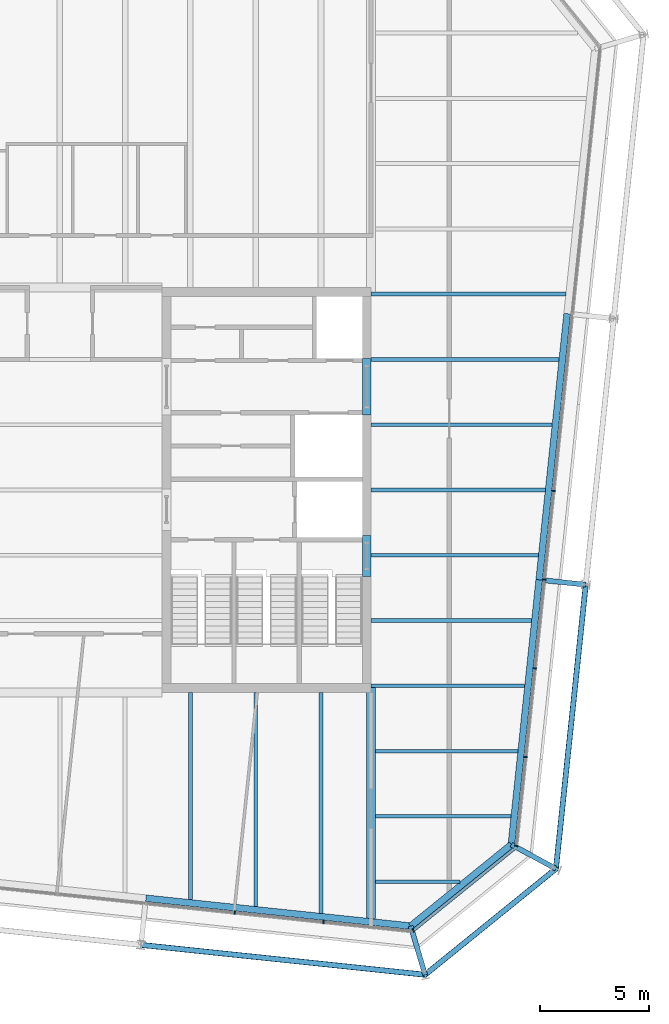
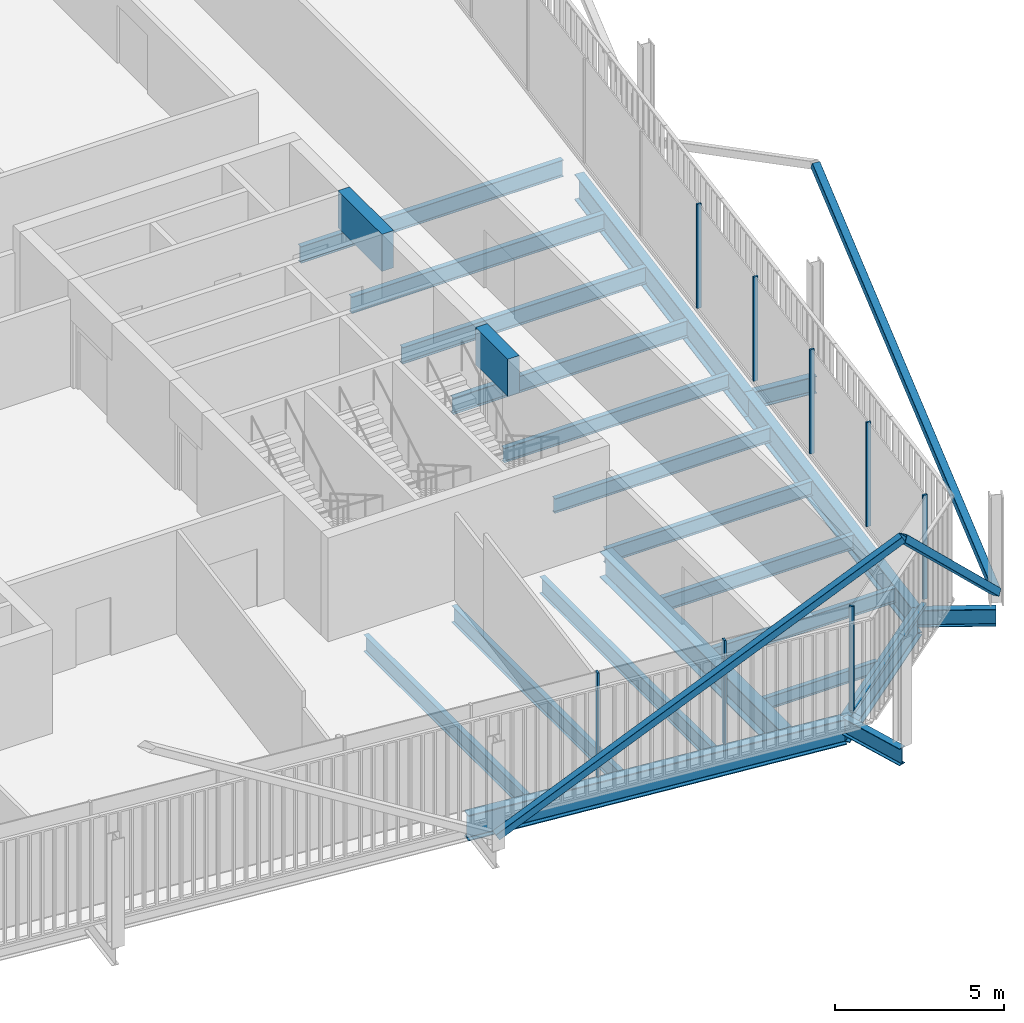
# One storey, part 9 of 21: 23 beams, 12 members, 3 elements without a shape of their own.
"""IFC4 building model written with IfcOpenShell, lengths in metres."""

from ifc_helpers import new_model, si_unit, direction, frame, origin, origin_2d, place, context, subcontext, project, spatial, rectangle, hollow_rectangle, i_section, extrude, material, layer, layer_set, material_profile, profile_set, type_object, element, aggregate, save


model = new_model("IFC4")

# Units and contexts
model_context = context("Model", 3, precision=1e-05, world=origin(), true_north=direction((0.0, 1.0)))
body_context = subcontext(model_context, "Body", "Model", "MODEL_VIEW")
ifc_project = project(units=[si_unit("LENGTHUNIT", "METRE"), si_unit("AREAUNIT", "SQUARE_METRE"), si_unit("VOLUMEUNIT", "CUBIC_METRE"), si_unit("PLANEANGLEUNIT", "RADIAN"), si_unit("MASSUNIT", "GRAM", prefix="KILO")], contexts=[model_context])

# Site, building, storey
site_placement = place(None, origin())
site = spatial("IfcSite", under=ifc_project, at=site_placement, CompositionType="ELEMENT")
building_placement = place(site_placement, origin())
building = spatial("IfcBuilding", under=site, at=building_placement, Name="Millrace Tower", CompositionType="ELEMENT")
storey_placement = place(building_placement, frame((0.0, 0.0, 318.699951171875)))
storey = spatial("IfcBuildingStorey", under=building, at=storey_placement, Name="L73", CompositionType="ELEMENT", Elevation=318.699951171875)

# Curtain wall, members
ifc_material_1 = material(Name="Aluminium and glass", Category="aluminium")
ifc_layer = layer(ifc_material_1, 0.14990234375)
ifc_layer_set = layer_set([ifc_layer], Name="Aluminium and glass")
curtain_wall_type = type_object("IfcCurtainWallType", Name="CW-1 office vision curtain wall", PredefinedType="NOTDEFINED", material=ifc_layer_set)
placement = place(storey_placement, origin())
curtain_wall_1 = element("IfcCurtainWall", 1, at=placement, inside=storey, type_object=curtain_wall_type, Name="Curtain wall E-F02 L73", PredefinedType="NOTDEFINED")
ifc_material_2 = material(Name="Aluminium", Category="aluminium")
ifc_material_profile_1 = material_profile(ifc_material_2, rectangle(XDim=0.06494140625, YDim=0.14990234375, at=origin_2d()))
ifc_profile_set_1 = profile_set([ifc_material_profile_1], Name="Aluminium")
member_type_1 = type_object("IfcMemberType", Name="CW-1 office vision curtain wall mullion", PredefinedType="MULLION", material=ifc_profile_set_1)
member_1_placement = place(storey_placement, frame((8.040283203125, -19.4248046875, 0.14013671875), z_axis=(0.0, 0.0, 1.0), x_axis=(0.994521896217, -0.104528455196, 0.0)))
member_1 = element("IfcMember", 2, at=member_1_placement, type_object=member_type_1, Name="CW1 mullion E-F02.8", PredefinedType="MULLION", context=body_context, shape_type="SweptSolid", body=[
    extrude(rectangle(XDim=0.06494140625, YDim=0.14990234375, at=origin_2d()), origin(), (0.0, 0.0, 1.0), 3.760009765625),
])
member_2_placement = place(storey_placement, frame((12.117919921875, -19.853271484375, 0.14013671875), z_axis=(0.0, 0.0, 1.0), x_axis=(0.994521896217, -0.104528455196, 0.0)))
member_2 = element("IfcMember", 3, at=member_2_placement, type_object=member_type_1, Name="CW1 mullion E-F02.9", PredefinedType="MULLION", context=body_context, shape_type="SweptSolid", body=[
    extrude(rectangle(XDim=0.06494140625, YDim=0.14990234375, at=origin_2d()), origin(), (0.0, 0.0, 1.0), 3.760009765625),
])
aggregate(curtain_wall_1, [member_1, member_2])

# Curtain wall, member
curtain_wall_2 = element("IfcCurtainWall", 4, at=placement, inside=storey, type_object=curtain_wall_type, Name="Curtain wall E-F03 L73", PredefinedType="NOTDEFINED")
member_3_placement = place(storey_placement, frame((16.243408203125, -20.24169921875, 0.14013671875), z_axis=(0.0, 0.0, 1.0), x_axis=(0.777146052237, 0.629320278945, 0.0)))
member_3 = element("IfcMember", 5, at=member_3_placement, type_object=member_type_1, Name="CW1 mullion E-F03.1", PredefinedType="MULLION", context=body_context, shape_type="SweptSolid", body=[
    extrude(rectangle(XDim=0.06494140625, YDim=0.14990234375, at=origin_2d()), origin(), (0.0, 0.0, 1.0), 3.760009765625),
])

# Curtain wall, members
curtain_wall_3 = element("IfcCurtainWall", 6, at=placement, inside=storey, type_object=curtain_wall_type, Name="Curtain wall E-F04 L73", PredefinedType="NOTDEFINED")
member_4_placement = place(storey_placement, frame((20.974853515625, -16.3525390625, 0.14013671875), z_axis=(0.0, 0.0, 1.0), x_axis=(0.104528455196, 0.994521896217, 0.0)))
member_4 = element("IfcMember", 7, at=member_4_placement, type_object=member_type_1, Name="CW1 mullion E-F04.1", PredefinedType="MULLION", context=body_context, shape_type="SweptSolid", body=[
    extrude(rectangle(XDim=0.06494140625, YDim=0.14990234375, at=origin_2d()), origin(), (0.0, 0.0, 1.0), 3.760009765625),
])
member_5_placement = place(storey_placement, frame((21.4033203125, -12.27490234375, 0.14013671875), z_axis=(0.0, 0.0, 1.0), x_axis=(0.104528455196, 0.994521896217, 0.0)))
member_5 = element("IfcMember", 8, at=member_5_placement, type_object=member_type_1, Name="CW1 mullion E-F04.2", PredefinedType="MULLION", context=body_context, shape_type="SweptSolid", body=[
    extrude(rectangle(XDim=0.06494140625, YDim=0.14990234375, at=origin_2d()), origin(), (0.0, 0.0, 1.0), 3.760009765625),
])
member_6_placement = place(storey_placement, frame((21.83203125, -8.197509765625, 0.14013671875), z_axis=(0.0, 0.0, 1.0), x_axis=(0.104528455196, 0.994521896217, 0.0)))
member_6 = element("IfcMember", 9, at=member_6_placement, type_object=member_type_1, Name="CW1 mullion E-F04.3", PredefinedType="MULLION", context=body_context, shape_type="SweptSolid", body=[
    extrude(rectangle(XDim=0.06494140625, YDim=0.14990234375, at=origin_2d()), origin(), (0.0, 0.0, 1.0), 3.760009765625),
])
member_7_placement = place(storey_placement, frame((22.260498046875, -4.119873046875, 0.14013671875), z_axis=(0.0, 0.0, 1.0), x_axis=(0.104528455196, 0.994521896217, 0.0)))
member_7 = element("IfcMember", 10, at=member_7_placement, type_object=member_type_1, Name="CW1 mullion E-F04.4", PredefinedType="MULLION", context=body_context, shape_type="SweptSolid", body=[
    extrude(rectangle(XDim=0.06494140625, YDim=0.14990234375, at=origin_2d()), origin(), (0.0, 0.0, 1.0), 3.760009765625),
])
member_8_placement = place(storey_placement, frame((22.68896484375, -0.042236328125, 0.14013671875), z_axis=(0.0, 0.0, 1.0), x_axis=(0.104528455196, 0.994521896217, 0.0)))
member_8 = element("IfcMember", 11, at=member_8_placement, type_object=member_type_1, Name="CW1 mullion E-F04.5", PredefinedType="MULLION", context=body_context, shape_type="SweptSolid", body=[
    extrude(rectangle(XDim=0.06494140625, YDim=0.14990234375, at=origin_2d()), origin(), (0.0, 0.0, 1.0), 3.760009765625),
])
aggregate(curtain_wall_3, [member_4, member_5, member_6, member_7, member_8])

# Member
ifc_material_3 = material(Name="Aluminium", Category="aluminium")
ifc_material_profile_2 = material_profile(ifc_material_3, rectangle(XDim=0.14990234375, YDim=0.139892578125, at=origin_2d()))
ifc_profile_set_2 = profile_set([ifc_material_profile_2], Name="Aluminium")
member_type_2 = type_object("IfcMemberType", Name="CW-1 office vision curtain wall transom", PredefinedType="USERDEFINED", material=ifc_profile_set_2)
member_9_placement = place(storey_placement, frame((16.2958984375, -20.19921875, 0.070068359375), z_axis=(0.77714915117, 0.629316452061, 0.0), x_axis=(-0.629316452061, 0.77714915117, 0.0)))
member_9 = element("IfcMember", 12, at=member_9_placement, type_object=member_type_2, Name="CW1 transom E-F03.1", ObjectType="TRANSOM", PredefinedType="USERDEFINED", context=body_context, shape_type="SweptSolid", body=[
    extrude(rectangle(XDim=0.14990234375, YDim=0.139892578125, at=origin_2d()), origin(), (0.0, 0.0, 1.0), 5.880859375),
])

aggregate(curtain_wall_2, [member_3, member_9])

# Beams
ifc_material_4 = material(Name="Concrete C60", Category="concrete")
ifc_material_profile_3 = material_profile(ifc_material_4, rectangle(XDim=0.39990234375, YDim=1.340087890625, at=origin_2d()))
ifc_profile_set_3 = profile_set([ifc_material_profile_3], Name="Concrete C60")
beam_type_1 = type_object("IfcBeamType", Name="Coupling beam 400 x 1340 Concrete C60, 1300 opening", PredefinedType="BEAM", material=ifc_profile_set_3)
beam_1_placement = place(storey_placement, frame((14.10009765625, -2.080078125, 3.070068359375), z_axis=(0.0, -1.0, 0.0), x_axis=(1.0, 0.0, 0.0)))
element("IfcBeam", 13, at=beam_1_placement, inside=storey, type_object=beam_type_1, Name="Coupling beam E L73", PredefinedType="BEAM", context=body_context, shape_type="SweptSolid", body=[
    extrude(rectangle(XDim=0.39990234375, YDim=1.340087890625, at=origin_2d()), origin(), (0.0, 0.0, 1.0), 1.89990234375),
])
ifc_material_5 = material(Name="Concrete C60", Category="concrete")
ifc_material_profile_4 = material_profile(ifc_material_5, rectangle(XDim=0.39990234375, YDim=1.340087890625, at=origin_2d()))
ifc_profile_set_4 = profile_set([ifc_material_profile_4], Name="Concrete C60")
beam_type_2 = type_object("IfcBeamType", Name="Coupling beam 400 x 1340 Concrete C60, 2000 opening", PredefinedType="BEAM", material=ifc_profile_set_4)
beam_2_placement = place(storey_placement, frame((14.10009765625, 6.050048828125, 3.070068359375), z_axis=(0.0, -1.0, 0.0), x_axis=(1.0, 0.0, 0.0)))
element("IfcBeam", 14, at=beam_2_placement, inside=storey, type_object=beam_type_2, Name="Coupling beam E L73", PredefinedType="BEAM", context=body_context, shape_type="SweptSolid", body=[
    extrude(rectangle(XDim=0.39990234375, YDim=1.340087890625, at=origin_2d()), origin(), (0.0, 0.0, 1.0), 2.60009765625),
])

# Members
ifc_material_6 = material(Name="Steel ASTM A500 Grade C", Category="steel")
ifc_material_profile_5 = material_profile(ifc_material_6, hollow_rectangle(XDim=0.25390625, YDim=0.25390625, WallThickness=0.009521484375, InnerFilletRadius=0.004638671875, OuterFilletRadius=0.014404296875, at=origin_2d()))
ifc_profile_set_5 = profile_set([ifc_material_profile_5], Name="Steel ASTM A500 Grade C")
member_type_3 = type_object("IfcMemberType", Name="Exoskeleton brace HSS10x10x3/8", PredefinedType="BRACE", material=ifc_profile_set_5)
member_10_placement = place(storey_placement, frame((3.729248046875, -20.9072265625, 0.400146484375), z_axis=(0.877568210125, -0.092238278747, 0.470495628578), x_axis=(0.104530865473, 0.994521642883, 0.0)))
element("IfcMember", 15, at=member_10_placement, inside=storey, type_object=member_type_3, Name="BRC-E-L73-04", PredefinedType="BRACE", context=body_context, shape_type="SweptSolid", body=[
    extrude(hollow_rectangle(XDim=0.25390625, YDim=0.25390625, WallThickness=0.009521484375, InnerFilletRadius=0.004638671875, OuterFilletRadius=0.014404296875, at=origin_2d()), origin(), (0.0, 0.0, 1.0), 14.8779296875),
])
member_11_placement = place(storey_placement, frame((22.79931640625, -17.409912109375, 0.400146484375), z_axis=(-0.576329152125, -0.466688099557, 0.670855369021), x_axis=(0.629308952043, -0.777155224442, 0.0)))
element("IfcMember", 16, at=member_11_placement, inside=storey, type_object=member_type_3, Name="BRC-E-L73-05", PredefinedType="BRACE", context=body_context, shape_type="SweptSolid", body=[
    extrude(hollow_rectangle(XDim=0.25390625, YDim=0.25390625, WallThickness=0.009521484375, InnerFilletRadius=0.004638671875, OuterFilletRadius=0.014404296875, at=origin_2d()), origin(), (0.0, 0.0, 1.0), 10.434326171875),
])
member_12_placement = place(storey_placement, frame((22.79931640625, -17.409912109375, 0.400146484375), z_axis=(0.092236950483, 0.877571982182, 0.470488853274), x_axis=(-0.994521846076, 0.104528932251, 0.0)))
element("IfcMember", 17, at=member_12_placement, inside=storey, type_object=member_type_3, Name="BRC-E-L73-06", PredefinedType="BRACE", context=body_context, shape_type="SweptSolid", body=[
    extrude(hollow_rectangle(XDim=0.25390625, YDim=0.25390625, WallThickness=0.009521484375, InnerFilletRadius=0.004638671875, OuterFilletRadius=0.014404296875, at=origin_2d()), origin(), (0.0, 0.0, 1.0), 14.878173828125),
])

# Beams
ifc_material_7 = material(Name="Steel ASTM A992 Grade 50", Category="steel")
ifc_material_profile_6 = material_profile(ifc_material_7, i_section(OverallWidth=0.15234375, OverallDepth=0.449462890625, WebThickness=0.007568359375, FlangeThickness=0.0107421875, FilletRadius=0.01025390625, at=origin_2d()))
ifc_profile_set_6 = profile_set([ifc_material_profile_6], Name="Steel ASTM A992 Grade 50")
beam_type_3 = type_object("IfcBeamType", Name="Floor beam W18x35", PredefinedType="JOIST", material=ifc_profile_set_6)
beam_3_placement = place(storey_placement, frame((14.509521484375, -18.0, -0.384765625), z_axis=(1.0, 0.0, 0.0), x_axis=(0.0, 1.0, 0.0)))
element("IfcBeam", 18, at=beam_3_placement, inside=storey, type_object=beam_type_3, Name="BM-E-L73-S1-S001", PredefinedType="JOIST", context=body_context, shape_type="SweptSolid", body=[
    extrude(i_section(OverallWidth=0.15234375, OverallDepth=0.449462890625, WebThickness=0.007568359375, FlangeThickness=0.0107421875, FilletRadius=0.01025390625, at=origin_2d()), origin(), (0.0, 0.0, 1.0), 3.87060546875),
])
ifc_material_8 = material(Name="Steel ASTM A992 Grade 50", Category="steel")
ifc_material_profile_7 = material_profile(ifc_material_8, i_section(OverallWidth=0.1650390625, OverallDepth=0.52587890625, WebThickness=0.0087890625, FlangeThickness=0.011474609375, FilletRadius=0.0126953125, at=origin_2d()))
ifc_profile_set_7 = profile_set([ifc_material_profile_7], Name="Steel ASTM A992 Grade 50")
beam_type_4 = type_object("IfcBeamType", Name="Floor beam W21x44", PredefinedType="JOIST", material=ifc_profile_set_7)
beam_4_placement = place(storey_placement, frame((14.509521484375, -15.0, -0.4228515625), z_axis=(1.0, 0.0, 0.0), x_axis=(0.0, 1.0, 0.0)))
element("IfcBeam", 19, at=beam_4_placement, inside=storey, type_object=beam_type_4, Name="BM-E-L73-S1-S003", PredefinedType="JOIST", context=body_context, shape_type="SweptSolid", body=[
    extrude(i_section(OverallWidth=0.1650390625, OverallDepth=0.52587890625, WebThickness=0.0087890625, FlangeThickness=0.011474609375, FilletRadius=0.0126953125, at=origin_2d()), origin(), (0.0, 0.0, 1.0), 6.222900390625),
])
beam_5_placement = place(storey_placement, frame((14.509521484375, -12.0, -0.4228515625), z_axis=(1.0, 0.0, 0.0), x_axis=(0.0, 1.0, 0.0)))
element("IfcBeam", 20, at=beam_5_placement, inside=storey, type_object=beam_type_4, Name="BM-E-L73-S1-S005", PredefinedType="JOIST", context=body_context, shape_type="SweptSolid", body=[
    extrude(i_section(OverallWidth=0.1650390625, OverallDepth=0.52587890625, WebThickness=0.0087890625, FlangeThickness=0.011474609375, FilletRadius=0.0126953125, at=origin_2d()), origin(), (0.0, 0.0, 1.0), 6.538330078125),
])
beam_6_placement = place(storey_placement, frame((14.300048828125, -9.0, -0.4228515625), z_axis=(1.0, 0.0, 0.0), x_axis=(0.0, 1.0, 0.0)))
element("IfcBeam", 21, at=beam_6_placement, inside=storey, type_object=beam_type_4, Name="BM-E-L73-S1-S007", PredefinedType="JOIST", context=body_context, shape_type="SweptSolid", body=[
    extrude(i_section(OverallWidth=0.1650390625, OverallDepth=0.52587890625, WebThickness=0.0087890625, FlangeThickness=0.011474609375, FilletRadius=0.0126953125, at=origin_2d()), origin(), (0.0, 0.0, 1.0), 7.06298828125),
])
beam_7_placement = place(storey_placement, frame((14.300048828125, -6.0, -0.4228515625), z_axis=(1.0, 0.0, 0.0), x_axis=(0.0, 1.0, 0.0)))
element("IfcBeam", 22, at=beam_7_placement, inside=storey, type_object=beam_type_4, Name="BM-E-L73-S1-S010", PredefinedType="JOIST", context=body_context, shape_type="SweptSolid", body=[
    extrude(i_section(OverallWidth=0.1650390625, OverallDepth=0.52587890625, WebThickness=0.0087890625, FlangeThickness=0.011474609375, FilletRadius=0.0126953125, at=origin_2d()), origin(), (0.0, 0.0, 1.0), 7.37841796875),
])
beam_8_placement = place(storey_placement, frame((14.300048828125, -3.0, -0.4228515625), z_axis=(1.0, 0.0, 0.0), x_axis=(0.0, 1.0, 0.0)))
element("IfcBeam", 23, at=beam_8_placement, inside=storey, type_object=beam_type_4, Name="BM-E-L73-S1-S013", PredefinedType="JOIST", context=body_context, shape_type="SweptSolid", body=[
    extrude(i_section(OverallWidth=0.1650390625, OverallDepth=0.52587890625, WebThickness=0.0087890625, FlangeThickness=0.011474609375, FilletRadius=0.0126953125, at=origin_2d()), origin(), (0.0, 0.0, 1.0), 7.693603515625),
])
ifc_material_9 = material(Name="Steel ASTM A992 Grade 50", Category="steel")
ifc_material_profile_8 = material_profile(ifc_material_9, i_section(OverallWidth=0.177978515625, OverallDepth=0.599365234375, WebThickness=0.010009765625, FlangeThickness=0.012939453125, FilletRadius=0.012939453125, at=origin_2d()))
ifc_profile_set_8 = profile_set([ifc_material_profile_8], Name="Steel ASTM A992 Grade 50")
beam_type_5 = type_object("IfcBeamType", Name="Floor beam W24x55", PredefinedType="JOIST", material=ifc_profile_set_8)
beam_9_placement = place(storey_placement, frame((14.300048828125, 0.0, -0.459716796875), z_axis=(1.0, 0.0, 0.0), x_axis=(0.0, 1.0, 0.0)))
element("IfcBeam", 24, at=beam_9_placement, inside=storey, type_object=beam_type_5, Name="BM-E-L73-S1-S016", PredefinedType="JOIST", context=body_context, shape_type="SweptSolid", body=[
    extrude(i_section(OverallWidth=0.177978515625, OverallDepth=0.599365234375, WebThickness=0.010009765625, FlangeThickness=0.012939453125, FilletRadius=0.012939453125, at=origin_2d()), origin(), (0.0, 0.0, 1.0), 8.009033203125),
])
beam_10_placement = place(storey_placement, frame((14.300048828125, 3.0, -0.459716796875), z_axis=(1.0, 0.0, 0.0), x_axis=(0.0, 1.0, 0.0)))
element("IfcBeam", 25, at=beam_10_placement, inside=storey, type_object=beam_type_5, Name="BM-E-L73-S1-S019", PredefinedType="JOIST", context=body_context, shape_type="SweptSolid", body=[
    extrude(i_section(OverallWidth=0.177978515625, OverallDepth=0.599365234375, WebThickness=0.010009765625, FlangeThickness=0.012939453125, FilletRadius=0.012939453125, at=origin_2d()), origin(), (0.0, 0.0, 1.0), 8.324462890625),
])
beam_11_placement = place(storey_placement, frame((14.300048828125, 6.0, -0.459716796875), z_axis=(1.0, 0.0, 0.0), x_axis=(0.0, 1.0, 0.0)))
element("IfcBeam", 26, at=beam_11_placement, inside=storey, type_object=beam_type_5, Name="BM-E-L73-S1-S022", PredefinedType="JOIST", context=body_context, shape_type="SweptSolid", body=[
    extrude(i_section(OverallWidth=0.177978515625, OverallDepth=0.599365234375, WebThickness=0.010009765625, FlangeThickness=0.012939453125, FilletRadius=0.012939453125, at=origin_2d()), origin(), (0.0, 0.0, 1.0), 8.6396484375),
])
beam_12_placement = place(storey_placement, frame((14.300048828125, 9.0, -0.459716796875), z_axis=(1.0, 0.0, 0.0), x_axis=(0.0, 1.0, 0.0)))
element("IfcBeam", 27, at=beam_12_placement, inside=storey, type_object=beam_type_5, Name="BM-E-L73-S1-S024", PredefinedType="JOIST", context=body_context, shape_type="SweptSolid", body=[
    extrude(i_section(OverallWidth=0.177978515625, OverallDepth=0.599365234375, WebThickness=0.010009765625, FlangeThickness=0.012939453125, FilletRadius=0.012939453125, at=origin_2d()), origin(), (0.0, 0.0, 1.0), 8.955078125),
])
beam_13_placement = place(storey_placement, frame((6.0, -18.825927734375, -0.459716796875), z_axis=(0.0, 1.0, 0.0), x_axis=(-1.0, 0.0, 0.0)))
element("IfcBeam", 28, at=beam_13_placement, inside=storey, type_object=beam_type_5, Name="BM-E-L73-S1-S049", PredefinedType="JOIST", context=body_context, shape_type="SweptSolid", body=[
    extrude(i_section(OverallWidth=0.177978515625, OverallDepth=0.599365234375, WebThickness=0.010009765625, FlangeThickness=0.012939453125, FilletRadius=0.012939453125, at=origin_2d()), origin(), (0.0, 0.0, 1.0), 9.52587890625),
])
beam_14_placement = place(storey_placement, frame((9.0, -19.14111328125, -0.459716796875), z_axis=(0.0, 1.0, 0.0), x_axis=(-1.0, 0.0, 0.0)))
element("IfcBeam", 29, at=beam_14_placement, inside=storey, type_object=beam_type_5, Name="BM-E-L73-S1-S051", PredefinedType="JOIST", context=body_context, shape_type="SweptSolid", body=[
    extrude(i_section(OverallWidth=0.177978515625, OverallDepth=0.599365234375, WebThickness=0.010009765625, FlangeThickness=0.012939453125, FilletRadius=0.012939453125, at=origin_2d()), origin(), (0.0, 0.0, 1.0), 9.841064453125),
])
ifc_material_10 = material(Name="Steel ASTM A992 Grade 50", Category="steel")
ifc_material_profile_9 = material_profile(ifc_material_10, i_section(OverallWidth=0.1787109375, OverallDepth=0.60205078125, WebThickness=0.010986328125, FlangeThickness=0.014892578125, FilletRadius=0.0126953125, at=origin_2d()))
ifc_profile_set_9 = profile_set([ifc_material_profile_9], Name="Steel ASTM A992 Grade 50")
beam_type_6 = type_object("IfcBeamType", Name="Floor beam W24x62", PredefinedType="JOIST", material=ifc_profile_set_9)
beam_15_placement = place(storey_placement, frame((12.0, -19.45654296875, -0.4609375), z_axis=(0.0, 1.0, 0.0), x_axis=(-1.0, 0.0, 0.0)))
element("IfcBeam", 30, at=beam_15_placement, inside=storey, type_object=beam_type_6, Name="BM-E-L73-S1-S053", PredefinedType="JOIST", context=body_context, shape_type="SweptSolid", body=[
    extrude(i_section(OverallWidth=0.1787109375, OverallDepth=0.60205078125, WebThickness=0.010986328125, FlangeThickness=0.014892578125, FilletRadius=0.0126953125, at=origin_2d()), origin(), (0.0, 0.0, 1.0), 10.156494140625),
])
ifc_material_11 = material(Name="Steel ASTM A992 Grade 50", Category="steel")
ifc_material_profile_10 = material_profile(ifc_material_11, i_section(OverallWidth=0.419189453125, OverallDepth=0.927001953125, WebThickness=0.019287109375, FlangeThickness=0.031982421875, FilletRadius=0.024169921875, at=origin_2d()))
ifc_profile_set_10 = profile_set([ifc_material_profile_10], Name="Steel ASTM A992 Grade 50")
beam_type_7 = type_object("IfcBeamType", Name="Girder short span W36x231", PredefinedType="BEAM", material=ifc_profile_set_10)
beam_16_placement = place(storey_placement, frame((14.300048828125, -19.6982421875, -0.62353515625), z_axis=(0.0, 1.0, 0.0), x_axis=(-1.0, 0.0, 0.0)))
element("IfcBeam", 31, at=beam_16_placement, inside=storey, type_object=beam_type_7, Name="BM-E-L73-S1-G057", PredefinedType="BEAM", context=body_context, shape_type="SweptSolid", body=[
    extrude(i_section(OverallWidth=0.419189453125, OverallDepth=0.927001953125, WebThickness=0.019287109375, FlangeThickness=0.031982421875, FilletRadius=0.024169921875, at=origin_2d()), origin(), (0.0, 0.0, 1.0), 10.6142578125),
])
ifc_material_12 = material(Name="Steel ASTM A992 Grade 50", Category="steel")
ifc_material_profile_11 = material_profile(ifc_material_12, i_section(OverallWidth=0.23046875, OverallDepth=0.6171875, WebThickness=0.01318359375, FlangeThickness=0.022216796875, FilletRadius=0.012939453125, at=origin_2d()))
ifc_profile_set_11 = profile_set([ifc_material_profile_11], Name="Steel ASTM A992 Grade 50")
beam_type_8 = type_object("IfcBeamType", Name="Link beam W24x94", PredefinedType="BEAM", material=ifc_profile_set_11)
beam_17_placement = place(storey_placement, frame((22.1826171875, -4.144287109375, -0.468505859375), z_axis=(0.99452550138, -0.104494148666, 0.0), x_axis=(0.104494148666, 0.99452550138, 0.0)))
element("IfcBeam", 32, at=beam_17_placement, inside=storey, type_object=beam_type_8, Name="LNK-E-L73-S1-11", PredefinedType="BEAM", context=body_context, shape_type="SweptSolid", body=[
    extrude(i_section(OverallWidth=0.23046875, OverallDepth=0.6171875, WebThickness=0.01318359375, FlangeThickness=0.022216796875, FilletRadius=0.012939453125, at=origin_2d()), origin(), (0.0, 0.0, 1.0), 2.0),
])
for number, where, z_axis, x_axis, name in (
    (33, (20.750732421875, -16.297607421875, -0.468505859375), (0.87881453358, -0.477163510307, 0.0), (0.477163510307, 0.87881453358, 0.0), "LNK-E-L73-S1-12"),
    (34, (16.123779296875, -20.04443359375, -0.468505859375), (0.283934988541, -0.958843533785, 0.0), (0.958843533785, 0.283934988541, 0.0), "LNK-E-L73-S1-13"),
):
    element("IfcBeam", number, at=place(storey_placement, frame(where, z_axis=z_axis, x_axis=x_axis)), inside=storey, type_object=beam_type_8, Name=name, PredefinedType="BEAM", context=body_context, shape_type="SweptSolid", body=[
        extrude(i_section(OverallWidth=0.23046875, OverallDepth=0.6171875, WebThickness=0.01318359375, FlangeThickness=0.022216796875, FilletRadius=0.012939453125, at=origin_2d()), origin(), (0.0, 0.0, 1.0), 2.3310546875),
    ])
ifc_material_13 = material(Name="Steel ASTM A992 Grade 50", Category="steel")
ifc_material_profile_12 = material_profile(ifc_material_13, i_section(OverallWidth=0.307373046875, OverallDepth=0.927001953125, WebThickness=0.01953125, FlangeThickness=0.031982421875, FilletRadius=0.01904296875, at=origin_2d()))
ifc_profile_set_12 = profile_set([ifc_material_profile_12], Name="Steel ASTM A992 Grade 50")
beam_type_9 = type_object("IfcBeamType", Name="Ring beam medium span W36x194", PredefinedType="SPANDREL", material=ifc_profile_set_12)
beam_18_placement = place(storey_placement, frame((23.3154296875, 8.104248046875, -0.62353515625), z_axis=(-0.10452566363, -0.994522189618, 0.0), x_axis=(0.994522189618, -0.10452566363, 0.0)))
element("IfcBeam", 35, at=beam_18_placement, inside=storey, type_object=beam_type_9, Name="RNG-E-L73-S1-10", PredefinedType="SPANDREL", context=body_context, shape_type="SweptSolid", body=[
    extrude(i_section(OverallWidth=0.307373046875, OverallDepth=0.927001953125, WebThickness=0.01953125, FlangeThickness=0.031982421875, FilletRadius=0.01904296875, at=origin_2d()), origin(), (0.0, 0.0, 1.0), 12.2998046875),
])
for number, where, z_axis, x_axis, name in (
    (36, (22.02978515625, -4.128173828125, -0.62353515625), (-0.104527955888, -0.994521948696, 0.0), (0.994521948696, -0.104527955888, 0.0), "RNG-E-L73-S1-11"),
    (37, (16.123779296875, -20.04443359375, -0.62353515625), (-0.994521948696, 0.104527955888, 0.0), (-0.104527955888, -0.994521948696, 0.0), "RNG-E-L73-S1-13"),
):
    element("IfcBeam", number, at=place(storey_placement, frame(where, z_axis=z_axis, x_axis=x_axis)), inside=storey, type_object=beam_type_9, Name=name, PredefinedType="SPANDREL", context=body_context, shape_type="SweptSolid", body=[
        extrude(i_section(OverallWidth=0.307373046875, OverallDepth=0.927001953125, WebThickness=0.01953125, FlangeThickness=0.031982421875, FilletRadius=0.01904296875, at=origin_2d()), origin(), (0.0, 0.0, 1.0), 12.236572265625),
    ])
ifc_material_14 = material(Name="Steel ASTM A992 Grade 50", Category="steel")
ifc_material_profile_13 = material_profile(ifc_material_14, i_section(OverallWidth=0.307373046875, OverallDepth=0.927001953125, WebThickness=0.01953125, FlangeThickness=0.031982421875, FilletRadius=0.01904296875, at=origin_2d()))
ifc_profile_set_13 = profile_set([ifc_material_profile_13], Name="Steel ASTM A992 Grade 50")
beam_type_10 = type_object("IfcBeamType", Name="Ring beam short span W36x194", PredefinedType="SPANDREL", material=ifc_profile_set_13)
beam_19_placement = place(storey_placement, frame((20.750732421875, -16.297607421875, -0.62353515625), z_axis=(-0.777146502883, -0.629319722443, 0.0), x_axis=(0.629319722443, -0.777146502883, 0.0)))
element("IfcBeam", 38, at=beam_19_placement, inside=storey, type_object=beam_type_10, Name="RNG-E-L73-S1-12", PredefinedType="SPANDREL", context=body_context, shape_type="SweptSolid", body=[
    extrude(i_section(OverallWidth=0.307373046875, OverallDepth=0.927001953125, WebThickness=0.01953125, FlangeThickness=0.031982421875, FilletRadius=0.01904296875, at=origin_2d()), origin(), (0.0, 0.0, 1.0), 5.953857421875),
])

save(model, "model.ifc")
